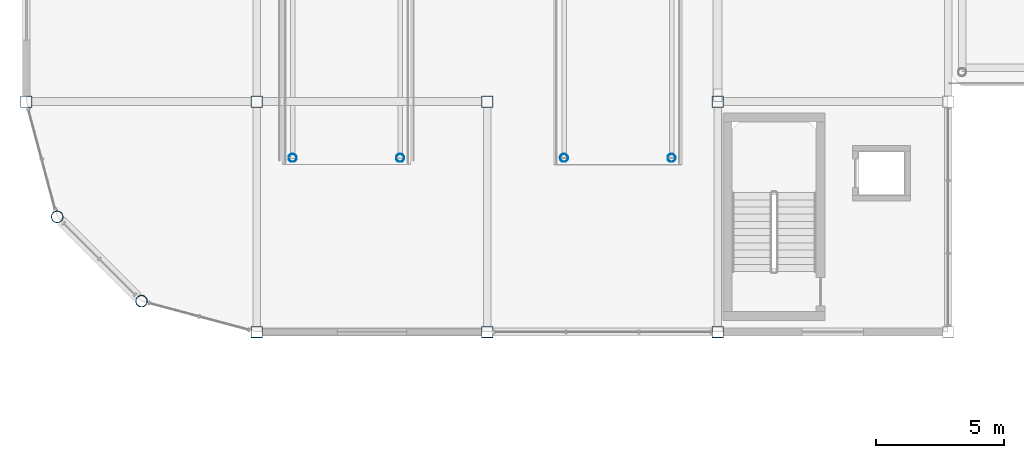
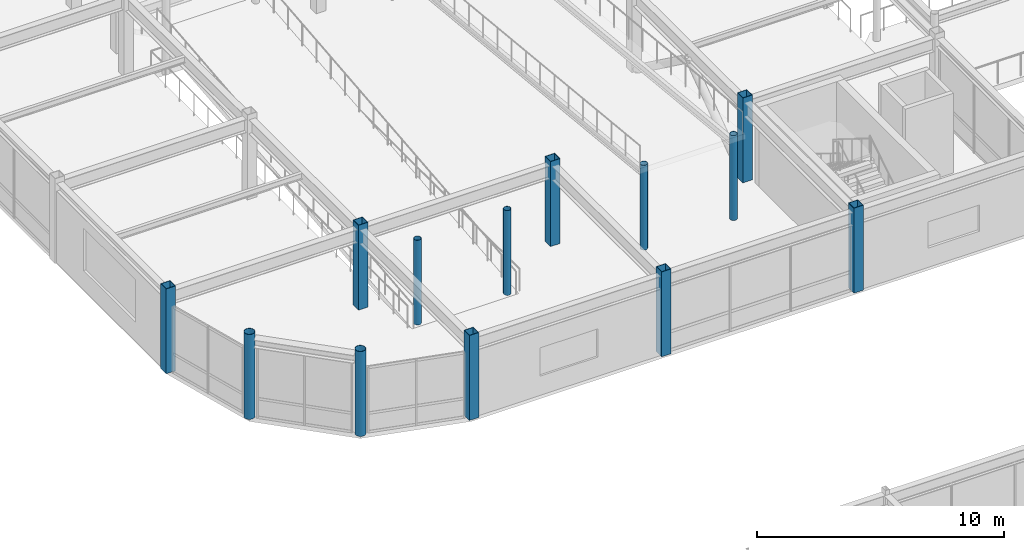
# One storey, part 7 of 105: 13 columns.
"""IFC4 building model written with IfcOpenShell, lengths in metres."""

from ifc_helpers import new_model, si_unit, direction, frame, origin, origin_2d, place, context, subcontext, project, spatial, hollow_rectangle, hollow_circle, extrude, material, material_profile, profile_set, type_object, element, save


model = new_model("IFC4")

# Units and contexts
model_context = context("Model", 3, precision=1e-05, world=origin(), true_north=direction((0.0, 1.0)))
body_context = subcontext(model_context, "Body", "Model", "MODEL_VIEW")
ifc_project = project(units=[si_unit("LENGTHUNIT", "METRE"), si_unit("AREAUNIT", "SQUARE_METRE"), si_unit("VOLUMEUNIT", "CUBIC_METRE"), si_unit("PLANEANGLEUNIT", "RADIAN"), si_unit("MASSUNIT", "GRAM", prefix="KILO")], contexts=[model_context])

# Site, building, storey
site_placement = place(None, origin())
site = spatial("IfcSite", under=ifc_project, at=site_placement, CompositionType="ELEMENT")
building_placement = place(site_placement, origin())
building = spatial("IfcBuilding", under=site, at=building_placement, Name="Suzunagisa Mobility Hub", CompositionType="ELEMENT")
storey_placement = place(building_placement, frame((0.0, 0.0, 5.10009765625)))
storey = spatial("IfcBuildingStorey", under=building, at=storey_placement, Name="L01", CompositionType="ELEMENT", Elevation=5.10009765625)

# Columns
ifc_material = material(Name="Steel SN490B", Category="steel")
ifc_material_profile_1 = material_profile(ifc_material, hollow_circle(Radius=0.228515625, WallThickness=0.01611328125, at=origin_2d()), Name="CHS-457.2x16.0")
ifc_profile_set_1 = profile_set([ifc_material_profile_1], Name="Steel SN490B")
column_type_1 = type_object("IfcColumnType", Name="Steel Column CL-08 CHS-457.2x16.0", PredefinedType="COLUMN", material=ifc_profile_set_1)
for number, where, z_axis, x_axis, name in (
    (1, (1.205810546875, 84.5, 0.0), (0.0, 0.0, 1.0), (1.0, 0.0, 0.0), "L01 Column 13"),
    (2, (4.5, 81.205810546875, 0.0), (0.0, 0.0, 1.0), (1.0, 0.0, 0.0), "L01 Column 18"),
):
    element("IfcColumn", number, at=place(storey_placement, frame(where, z_axis=z_axis, x_axis=x_axis)), inside=storey, type_object=column_type_1, Name=name, PredefinedType="COLUMN", context=body_context, shape_type="SweptSolid", body=[
        extrude(hollow_circle(Radius=0.228515625, WallThickness=0.01611328125, at=origin_2d()), origin(), (0.0, 0.0, 1.0), 4.199951171875),
    ])
ifc_material_profile_2 = material_profile(ifc_material, hollow_circle(Radius=0.1591796875, WallThickness=0.01025390625, at=origin_2d()), Name="CHS-318.5x10.3")
ifc_profile_set_2 = profile_set([ifc_material_profile_2], Name="Steel SN490B")
column_type_2 = type_object("IfcColumnType", Name="Steel Column CL-09 CHS-318.5x10.3", PredefinedType="COLUMN", material=ifc_profile_set_2)
for number, where, z_axis, x_axis, name in (
    (3, (10.39990234375, 86.800048828125, 0.0), (0.0, 0.0, 1.0), (1.0, 0.0, 0.0), "L01 Column 35"),
    (4, (14.60009765625, 86.800048828125, 0.0), (0.0, 0.0, 1.0), (1.0, 0.0, 0.0), "L01 Column 38"),
    (5, (21.0, 86.800048828125, 0.0), (0.0, 0.0, 1.0), (1.0, 0.0, 0.0), "L01 Column 55"),
    (6, (25.199951171875, 86.800048828125, 0.0), (0.0, 0.0, 1.0), (1.0, 0.0, 0.0), "L01 Column 57"),
):
    element("IfcColumn", number, at=place(storey_placement, frame(where, z_axis=z_axis, x_axis=x_axis)), inside=storey, type_object=column_type_2, Name=name, PredefinedType="COLUMN", context=body_context, shape_type="SweptSolid", body=[
        extrude(hollow_circle(Radius=0.1591796875, WallThickness=0.01025390625, at=origin_2d()), origin(), (0.0, 0.0, 1.0), 4.199951171875),
    ])
ifc_material_profile_3 = material_profile(ifc_material, hollow_rectangle(XDim=0.449951171875, YDim=0.449951171875, WallThickness=0.02197265625, at=origin_2d()), Name="BCR-450x450x22")
ifc_profile_set_3 = profile_set([ifc_material_profile_3], Name="Steel SN490B")
column_type_3 = type_object("IfcColumnType", Name="Steel Column CL-17 BCR-450x450x22", PredefinedType="COLUMN", material=ifc_profile_set_3)
for number, where, z_axis, x_axis, name in (
    (7, (0.0, 89.0, 0.0), (0.0, 0.0, 1.0), (1.0, 0.0, 0.0), "L01 Column 8"),
    (8, (9.0, 80.0, 0.0), (0.0, 0.0, 1.0), (1.0, 0.0, 0.0), "L01 Column 28"),
    (9, (9.0, 89.0, 0.0), (0.0, 0.0, 1.0), (1.0, 0.0, 0.0), "L01 Column 29"),
    (10, (18.0, 80.0, 0.0), (0.0, 0.0, 1.0), (1.0, 0.0, 0.0), "L01 Column 50"),
    (11, (18.0, 89.0, 0.0), (0.0, 0.0, 1.0), (1.0, 0.0, 0.0), "L01 Column 51"),
    (12, (27.0, 80.0, 0.0), (0.0, 0.0, 1.0), (1.0, 0.0, 0.0), "L01 Column 70"),
    (13, (27.0, 89.0, 0.0), (0.0, 0.0, 1.0), (1.0, 0.0, 0.0), "L01 Column 71"),
):
    element("IfcColumn", number, at=place(storey_placement, frame(where, z_axis=z_axis, x_axis=x_axis)), inside=storey, type_object=column_type_3, Name=name, PredefinedType="COLUMN", context=body_context, shape_type="SweptSolid", body=[
        extrude(hollow_rectangle(XDim=0.449951171875, YDim=0.449951171875, WallThickness=0.02197265625, at=origin_2d()), origin(), (0.0, 0.0, 1.0), 4.199951171875),
    ])

save(model, "model.ifc")
